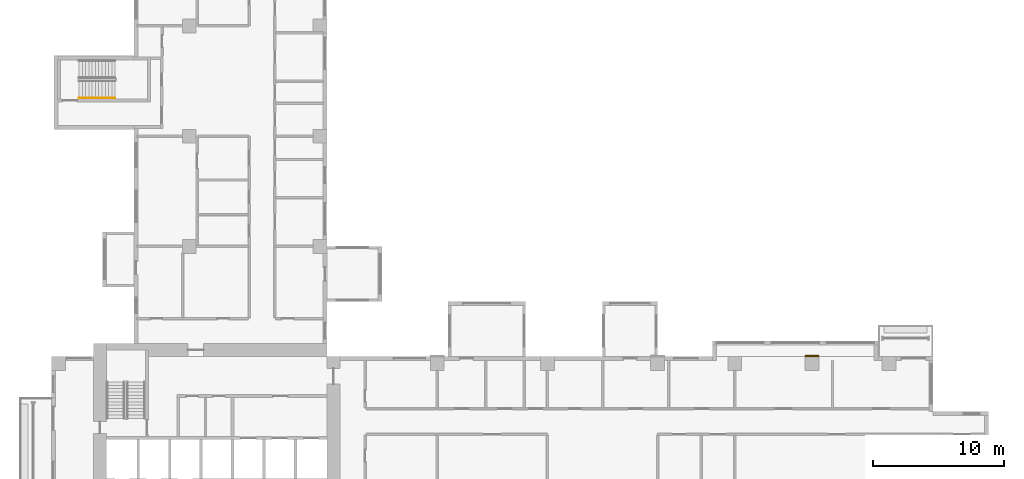
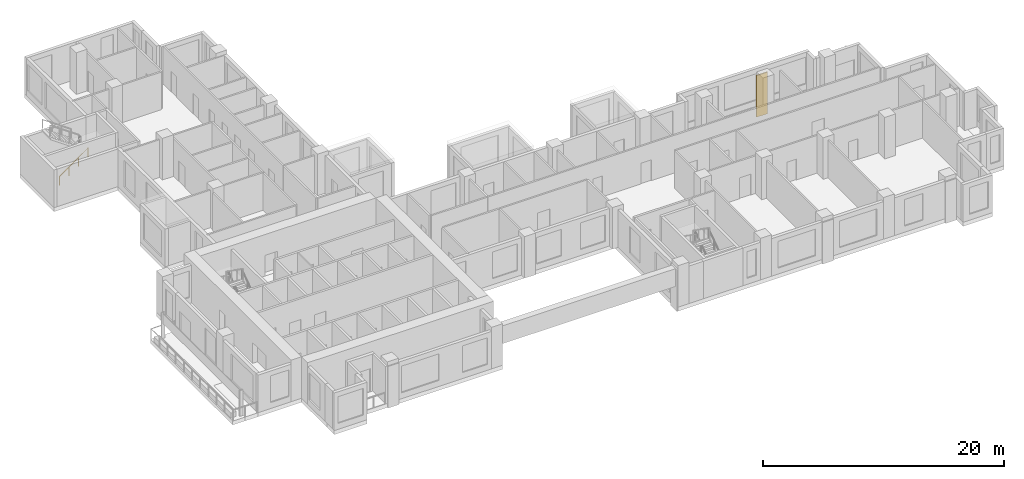
# One storey, part 12 of 14: 1 covering, 1 railing.
"""IFC4 building model written with IfcOpenShell, lengths in metres."""

from ifc_helpers import new_model, si_unit, direction, frame, origin, origin_2d, place, context, subcontext, project, spatial, rectangle, circle, extrude, source, transform, mapped, material, type_object, element, save


model = new_model("IFC4")

# Units and contexts
model_context = context("Model", 3, precision=1e-05, world=origin(), true_north=direction((0.0, 1.0)))
body_context = subcontext(model_context, "Body", "Model", "MODEL_VIEW")
ifc_project = project(units=[si_unit("LENGTHUNIT", "METRE"), si_unit("AREAUNIT", "SQUARE_METRE"), si_unit("VOLUMEUNIT", "CUBIC_METRE"), si_unit("PLANEANGLEUNIT", "RADIAN"), si_unit("MASSUNIT", "GRAM", prefix="KILO")], contexts=[model_context])

# Site, building, storey
site_placement = place(None, origin())
site = spatial("IfcSite", under=ifc_project, at=site_placement, CompositionType="ELEMENT")
building_placement = place(site_placement, origin())
building = spatial("IfcBuilding", under=site, at=building_placement, Name="Aurelian Terraces", CompositionType="ELEMENT")
storey_placement = place(building_placement, frame((0.0, 0.0, 153.9)))
storey = spatial("IfcBuildingStorey", under=building, at=storey_placement, Name="L34", CompositionType="ELEMENT", Elevation=153.9)

# Covering
ifc_material_1 = material(Name="Terracotta rainscreen cladding relief", Category="masonry")
covering_type = type_object("IfcCoveringType", Name="BAGUETTE-TC", PredefinedType="CLADDING", material=ifc_material_1)
shared_shape_1 = source(origin(), body_context, "Body", "SweptSolid", [
    extrude(rectangle(XDim=1.05, YDim=0.12, at=origin_2d()), origin(), (0.0, 0.0, 1.0), 4.2),
])
covering_placement = place(storey_placement, frame((57.96, 21.06, -0.4), z_axis=(0.0, 0.0, 1.0), x_axis=(1.0, 0.0, 0.0)))
element("IfcCovering", 1, at=covering_placement, inside=storey, type_object=covering_type, Name="BAGUETTE pier L34 7", PredefinedType="CLADDING", context=body_context, shape_type="MappedRepresentation", body=[
    mapped(shared_shape_1, transform((0.0, 0.0, 0.0), scale=1.0)),
])

# Railing
ifc_material_2 = material(Name="Stainless steel", Category="steel")
railing_type = type_object("IfcRailingType", Name="Stair handrail", PredefinedType="HANDRAIL", material=ifc_material_2)
shared_shape_2 = source(origin(), body_context, "Body", "SweptSolid", [
    extrude(circle(Radius=0.024, at=origin_2d()), frame((0.0, 0.0, 0.876), z_axis=(0.819231920519, 0.0, 0.573462344363), x_axis=(0.0, 1.0, 0.0)), (0.0, 0.0, 1.0), 3.3568),
    extrude(circle(Radius=0.021, at=origin_2d()), origin(), (0.0, 0.0, 1.0), 0.852),
    extrude(circle(Radius=0.021, at=origin_2d()), frame((0.9167, 0.0, 0.6417)), (0.0, 0.0, 1.0), 0.852),
    extrude(circle(Radius=0.021, at=origin_2d()), frame((1.8333, 0.0, 1.2833)), (0.0, 0.0, 1.0), 0.852),
    extrude(circle(Radius=0.021, at=origin_2d()), frame((2.75, 0.0, 1.925)), (0.0, 0.0, 1.0), 0.852),
])
railing_placement = place(storey_placement, frame((2.1, 40.7, 0.175)))
element("IfcRailing", 2, at=railing_placement, inside=storey, type_object=railing_type, Name="L34 S3 stair handrail 1", PredefinedType="HANDRAIL", context=body_context, shape_type="MappedRepresentation", body=[
    mapped(shared_shape_2, transform((0.0, 0.0, 0.0), scale=1.0)),
])

save(model, "model.ifc")
